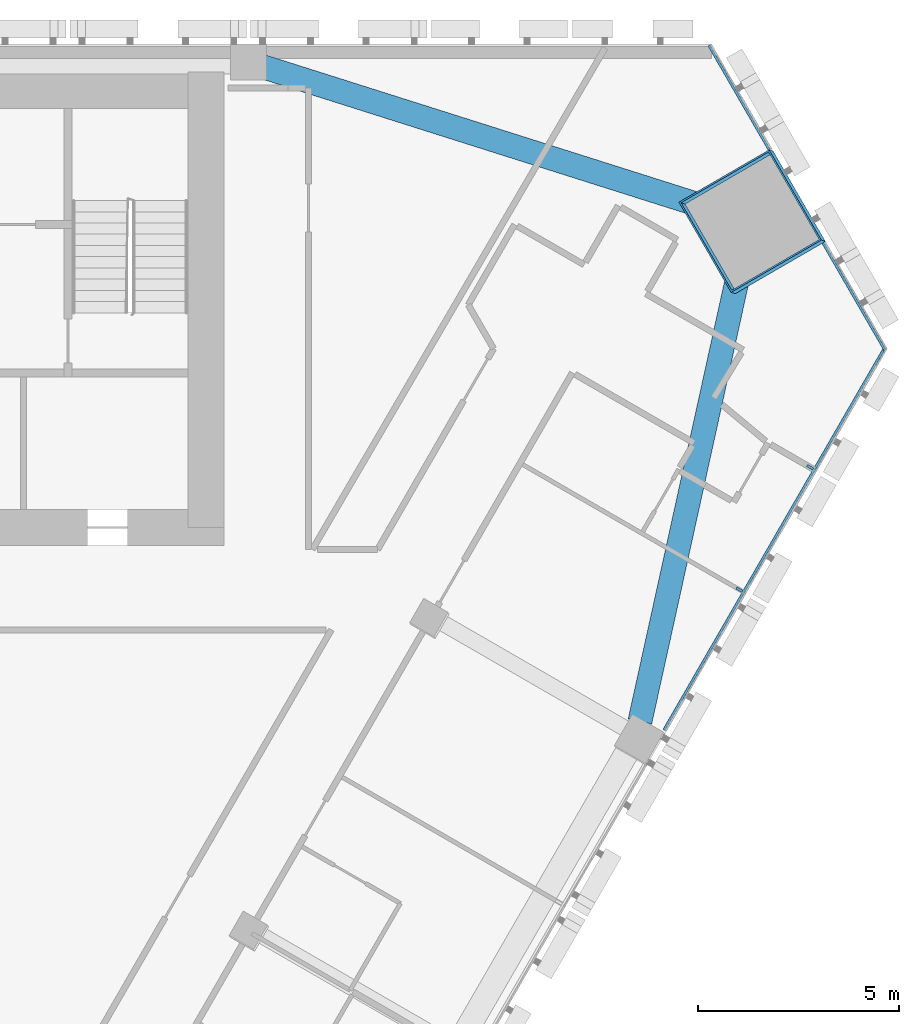
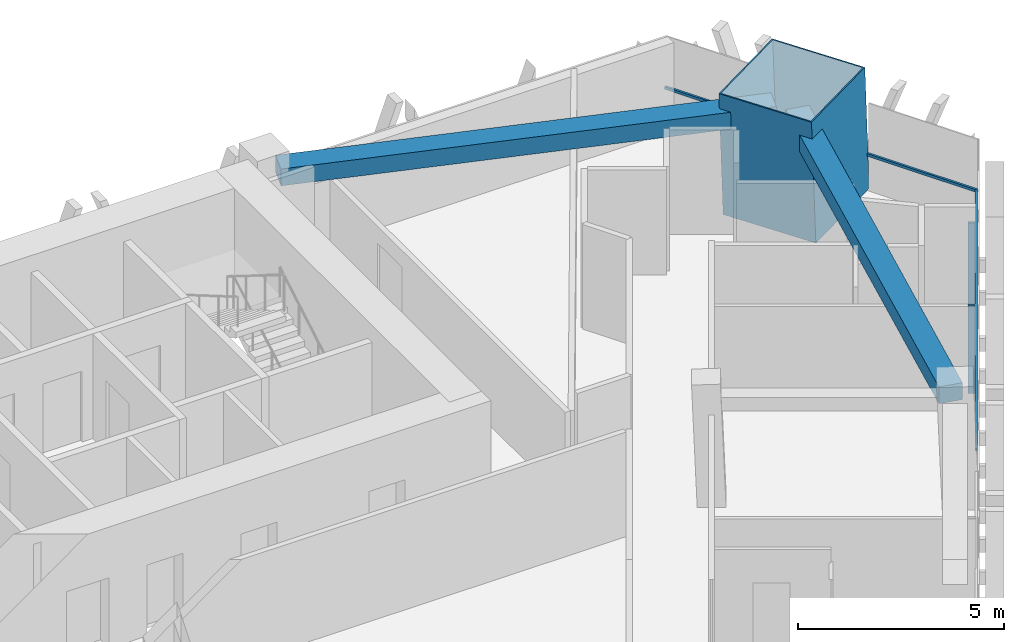
# One storey, part 7 of 16: 6 members, 2 beams, 2 elements without a shape of their own.
"""IFC4 building model written with IfcOpenShell, lengths in metres."""

import ifcopenshell
import ifcopenshell.guid

model = None  # the IFC model being written
_history = None  # IfcOwnerHistory: only IFC2X3 demands one
_inside = {}  # id of a spatial element -> (the spatial element, [elements in it])
_under = {}  # id of a project, library or spatial element -> (it, [spatial elements below it])
_declared = {}  # id of a project -> (the project, [libraries it declares])
_typed = {}  # id of a type object -> (the type object, [elements of that type])
_made_of = {}  # id of a material, layer set ... -> (it, [elements and type objects made of it])


def new_model(schema):
    """Start an empty IFC model of exactly this schema.

    Asked for "IFC4X3", IfcOpenShell would pick the latest addendum, in which some entities
    have other attributes; the version numbers below select the first issue.
    IFC2X3 requires an IfcOwnerHistory on every rooted entity: one is made here for all.
    """
    global model, _history
    if schema == "IFC4X3":
        model = ifcopenshell.file(schema_version=(4, 3, 0, 0))
    else:
        model = ifcopenshell.file(schema=schema)
    _inside.clear()
    _under.clear()
    _declared.clear()
    _typed.clear()
    _made_of.clear()
    _history = None
    if model.schema == "IFC2X3":
        org = make("IfcOrganization", Name="unknown")
        user = make(
            "IfcPersonAndOrganization",
            ThePerson=make("IfcPerson", FamilyName="unknown"),
            TheOrganization=org,
        )
        app = make(
            "IfcApplication",
            ApplicationDeveloper=org,
            Version="unknown",
            ApplicationFullName="unknown",
            ApplicationIdentifier="unknown",
        )
        _history = make(
            "IfcOwnerHistory",
            OwningUser=user,
            OwningApplication=app,
            ChangeAction="ADDED",
            CreationDate=0,
        )
    return model


def make(cls, **values):
    """One entity of the class cls with the attributes given. An attribute that is None is left unset."""
    return model.create_entity(
        cls, **{name: value for name, value in values.items() if value is not None}
    )


def rooted(cls, **values):
    """An entity with a GlobalId (a new one), such as an element, a storey or a relation."""
    return make(cls, GlobalId=ifcopenshell.guid.new(), OwnerHistory=_history, **values)


def si_unit(unit_type, name, prefix=None):
    """IfcSIUnit, for example si_unit("LENGTHUNIT", "METRE", prefix="MILLI")."""
    return make("IfcSIUnit", UnitType=unit_type, Prefix=prefix, Name=name)


def assignment(units):
    """IfcUnitAssignment: the units of a project."""
    return None if units is None else make("IfcUnitAssignment", Units=units)


def point(xyz):
    """IfcCartesianPoint."""
    return None if xyz is None else make("IfcCartesianPoint", Coordinates=xyz)


def direction(xyz):
    """IfcDirection."""
    return None if xyz is None else make("IfcDirection", DirectionRatios=xyz)


def frame(location, z_axis=None, x_axis=None):
    """IfcAxis2Placement3D, a coordinate frame: its origin and axes. An axis left out is left unset."""
    return make(
        "IfcAxis2Placement3D",
        Location=point(location),
        Axis=direction(z_axis),
        RefDirection=direction(x_axis),
    )


def frame_2d(location, x_axis=None):
    """IfcAxis2Placement2D, a coordinate frame in the plane: its origin and x axis."""
    return make(
        "IfcAxis2Placement2D", Location=point(location), RefDirection=direction(x_axis)
    )


def origin():
    """The frame at (0, 0, 0) with its axes left unset."""
    return frame((0.0, 0.0, 0.0))


def origin_2d():
    """The frame at (0, 0) in the plane with its x axis left unset."""
    return frame_2d((0.0, 0.0))


def place(relative_to, where):
    """IfcLocalPlacement: puts the frame where relative to a parent placement (None: the world)."""
    return make(
        "IfcLocalPlacement", PlacementRelTo=relative_to, RelativePlacement=where
    )


def context(
    kind, dimensions, precision=None, world=None, true_north=None, identifier=None
):
    """IfcGeometricRepresentationContext, for example the 3D "Model" context."""
    return make(
        "IfcGeometricRepresentationContext",
        ContextIdentifier=identifier,
        ContextType=kind,
        CoordinateSpaceDimension=dimensions,
        Precision=precision,
        WorldCoordinateSystem=world,
        TrueNorth=true_north,
    )


def subcontext(parent, identifier, kind, view, scale=None):
    """IfcGeometricRepresentationSubContext, for example "Body" below "Model"."""
    return make(
        "IfcGeometricRepresentationSubContext",
        ContextIdentifier=identifier,
        ContextType=kind,
        ParentContext=parent,
        TargetScale=scale,
        TargetView=view,
    )


def project(units=None, contexts=None):
    """IfcProject with its units and contexts."""
    return rooted(
        "IfcProject",
        Name="project",
        RepresentationContexts=contexts,
        UnitsInContext=assignment(units),
    )


def spatial(cls, under=None, at=None, **own):
    """A site, building, storey or space (cls), placed at a placement, below another one or the project."""
    s = rooted(cls, ObjectPlacement=at, **own)
    if under is not None:
        _under.setdefault(under.id(), (under, []))[1].append(s)
    return s


def profile(cls, at=None, kind="AREA", **sizes):
    """A parametric profile (cls). Its sizes go by their IFC names, for example OverallWidth=200.0."""
    return make(cls, ProfileType=kind, Position=at, **sizes)


def rectangle(**sizes):
    """IfcRectangleProfileDef."""
    return profile("IfcRectangleProfileDef", **sizes)


def hollow_rectangle(**sizes):
    """IfcRectangleHollowProfileDef."""
    return profile("IfcRectangleHollowProfileDef", **sizes)


def extrude(swept, where, along, depth):
    """IfcExtrudedAreaSolid: the profile swept, set in the frame where, extruded along a direction by depth."""
    return make(
        "IfcExtrudedAreaSolid",
        SweptArea=swept,
        Position=where,
        ExtrudedDirection=direction(along),
        Depth=depth,
    )


def shape(context_of_items, identifier, shape_type, items):
    """IfcShapeRepresentation: the items that make up one representation, for example the "Body"."""
    return make(
        "IfcShapeRepresentation",
        ContextOfItems=context_of_items,
        RepresentationIdentifier=identifier,
        RepresentationType=shape_type,
        Items=items,
    )


def material(Name=None, Category=None):
    """IfcMaterial."""
    return make("IfcMaterial", Name=Name, Category=Category)


def layer(
    of_material, thickness, ventilated=None, Name=None, Category=None, Priority=None
):
    """IfcMaterialLayer: one layer of a wall or slab, of a material (None: an air gap)."""
    return make(
        "IfcMaterialLayer",
        Material=of_material,
        LayerThickness=thickness,
        IsVentilated=ventilated,
        Name=Name,
        Category=Category,
        Priority=Priority,
    )


def layer_set(layers, Name=None):
    """IfcMaterialLayerSet."""
    return make("IfcMaterialLayerSet", MaterialLayers=layers, LayerSetName=Name)


def material_profile(
    of_material, cross_section, Name=None, Category=None, Priority=None
):
    """IfcMaterialProfile: a cross section and its material."""
    return make(
        "IfcMaterialProfile",
        Name=Name,
        Material=of_material,
        Profile=cross_section,
        Priority=Priority,
        Category=Category,
    )


def profile_set(profiles, Name=None, composite=None):
    """IfcMaterialProfileSet."""
    return make(
        "IfcMaterialProfileSet",
        Name=Name,
        MaterialProfiles=profiles,
        CompositeProfile=composite,
    )


def made_of(thing, what):
    """Note that an element or type object is made of a material, layer set ...; save() writes the relation."""
    if what is not None:
        _made_of.setdefault(what.id(), (what, []))[1].append(thing)
    return thing


def type_object(cls, material=None, **own):
    """A type object (cls), such as IfcWallType, which elements share."""
    return made_of(rooted(cls, **own), material)


def element(
    cls,
    number,
    at=None,
    inside=None,
    cuts=None,
    type_object=None,
    material=None,
    context=None,
    identifier="Body",
    shape_type=None,
    held_by="IfcProductDefinitionShape",
    body=None,
    shapes=None,
    **own,
):
    """One element of the class cls, such as IfcWall. Its Tag is "e" and its number.

    at: its placement. inside: the storey or other place that contains it. cuts: it is an
    opening in that element (IfcRelVoidsElement). A single representation is given by context,
    identifier, shape_type and body (its items); several are given by shapes. held_by: the class
    of the entity that holds the representations. save() writes the other relations.
    """
    e = rooted(cls, Tag="e%d" % number, ObjectPlacement=at, **own)
    if body is not None:
        shapes = [shape(context, identifier, shape_type, body)]
    if shapes is not None:
        e.Representation = make(held_by, Representations=shapes)
    if inside is not None:
        _inside.setdefault(inside.id(), (inside, []))[1].append(e)
    if cuts is not None:
        rooted(
            "IfcRelVoidsElement", RelatingBuildingElement=cuts, RelatedOpeningElement=e
        )
    if type_object is not None:
        _typed.setdefault(type_object.id(), (type_object, []))[1].append(e)
    return made_of(e, material)


def aggregate(whole, parts):
    """IfcRelAggregates: a whole, such as a stair, and the parts it consists of."""
    return rooted("IfcRelAggregates", RelatingObject=whole, RelatedObjects=parts)


def save(model, path):
    """Write the relations noted so far, then the file.

    IfcRelAggregates (storeys below a building ...), IfcRelContainedInSpatialStructure (elements
    in a storey), IfcRelDefinesByType, IfcRelAssociatesMaterial and IfcRelDeclares: one each for
    every whole, place, type object, material and project.
    """
    for whole, parts in _under.values():
        aggregate(whole, parts)
    for where, things in _inside.values():
        rooted(
            "IfcRelContainedInSpatialStructure",
            RelatedElements=things,
            RelatingStructure=where,
        )
    for kind, things in _typed.values():
        rooted("IfcRelDefinesByType", RelatedObjects=things, RelatingType=kind)
    for what, things in _made_of.values():
        rooted("IfcRelAssociatesMaterial", RelatedObjects=things, RelatingMaterial=what)
    for by, libraries in _declared.values():
        rooted("IfcRelDeclares", RelatingContext=by, RelatedDefinitions=libraries)
    model.write(path)


model = new_model("IFC4")

# Units and contexts
model_context = context("Model", 3, precision=1e-05, world=origin(), true_north=direction((0.0, 1.0)))
body_context = subcontext(model_context, "Body", "Model", "MODEL_VIEW")
ifc_project = project(units=[si_unit("LENGTHUNIT", "METRE"), si_unit("AREAUNIT", "SQUARE_METRE"), si_unit("VOLUMEUNIT", "CUBIC_METRE"), si_unit("PLANEANGLEUNIT", "RADIAN"), si_unit("MASSUNIT", "GRAM", prefix="KILO")], contexts=[model_context])

# Site, building, storey
site_placement = place(None, origin())
site = spatial("IfcSite", under=ifc_project, at=site_placement, CompositionType="ELEMENT")
building_placement = place(site_placement, origin())
building = spatial("IfcBuilding", under=site, at=building_placement, Name="Altiplano Prism Tower", CompositionType="ELEMENT")
storey_placement = place(building_placement, frame((0.0, 0.0, 84.60009765625)))
storey = spatial("IfcBuildingStorey", under=building, at=storey_placement, Name="L21", CompositionType="ELEMENT", Elevation=84.60009765625)

# Curtain wall, members
ifc_material_1 = material(Name="Aluminium and glass", Category="aluminium")
ifc_layer = layer(ifc_material_1, 0.280029296875)
ifc_layer_set = layer_set([ifc_layer], Name="Aluminium and glass")
curtain_wall_type = type_object("IfcCurtainWallType", Name="CW1 typical co-living unitised curtain wall", PredefinedType="NOTDEFINED", material=ifc_layer_set)
curtain_wall_1_placement = place(storey_placement, origin())
curtain_wall_1 = element("IfcCurtainWall", 1, at=curtain_wall_1_placement, inside=storey, type_object=curtain_wall_type, Name="CW1 curtain wall south-east face L21", PredefinedType="NOTDEFINED")
ifc_material_2 = material(Name="Aluminium", Category="aluminium")
ifc_material_profile_1 = material_profile(ifc_material_2, rectangle(XDim=0.179931640625, YDim=0.06494140625, at=origin_2d()), Name="CW1 mullion 65 x 180")
ifc_profile_set_1 = profile_set([ifc_material_profile_1], Name="Aluminium")
member_type_1 = type_object("IfcMemberType", Name="CW1 mullion 65 x 180", PredefinedType="MULLION", material=ifc_profile_set_1)
member_1_placement = place(storey_placement, frame((110.7421875, 91.400146484375, 0.0), z_axis=(0.0, 0.0, 1.0), x_axis=(-0.866025399238, 0.500000007875, 0.0)))
member_1 = element("IfcMember", 2, at=member_1_placement, type_object=member_type_1, Name="CW1 mullion", PredefinedType="MULLION", context=body_context, shape_type="SweptSolid", body=[
    extrude(rectangle(XDim=0.179931640625, YDim=0.06494140625, at=origin_2d()), origin(), (0.0, 0.0, 1.0), 2.599853515625),
])
member_2_placement = place(storey_placement, frame((112.50341796875, 94.45068359375, 0.0), z_axis=(0.0, 0.0, 1.0), x_axis=(-0.866025399238, 0.500000007875, 0.0)))
member_2 = element("IfcMember", 3, at=member_2_placement, type_object=member_type_1, Name="CW1 mullion", PredefinedType="MULLION", context=body_context, shape_type="SweptSolid", body=[
    extrude(rectangle(XDim=0.179931640625, YDim=0.06494140625, at=origin_2d()), origin(), (0.0, 0.0, 1.0), 2.599853515625),
])
ifc_material_profile_2 = material_profile(ifc_material_2, rectangle(XDim=0.06005859375, YDim=0.080078125, at=origin_2d()), Name="CW1 transom 80 x 60")
ifc_profile_set_2 = profile_set([ifc_material_profile_2], Name="Aluminium")
member_type_2 = type_object("IfcMemberType", Name="CW1 transom 80 x 60", PredefinedType="USERDEFINED", material=ifc_profile_set_2)
member_3_placement = place(storey_placement, frame((108.86083984375, 87.901611328125, 1.099853515625), z_axis=(0.500010232583, 0.866019495919, 0.0), x_axis=(-0.866019495919, 0.500010232583, 0.0)))
member_3 = element("IfcMember", 4, at=member_3_placement, type_object=member_type_2, Name="CW1 transom", ObjectType="TRANSOM", PredefinedType="USERDEFINED", context=body_context, shape_type="SweptSolid", body=[
    extrude(rectangle(XDim=0.06005859375, YDim=0.080078125, at=origin_2d()), origin(), (0.0, 0.0, 1.0), 11.015380859375),
])
aggregate(curtain_wall_1, [member_1, member_2, member_3])

curtain_wall_2_placement = place(storey_placement, origin())
curtain_wall_2 = element("IfcCurtainWall", 5, at=curtain_wall_2_placement, inside=storey, type_object=curtain_wall_type, Name="CW1 curtain wall north-east chamfer L21", PredefinedType="NOTDEFINED")
member_4_placement = place(storey_placement, frame((114.36865234375, 97.371337890625, 1.099853515625), z_axis=(-0.500046785451, 0.865998390507, 0.0), x_axis=(-0.865998390507, -0.500046785451, 0.0)))
member_4 = element("IfcMember", 6, at=member_4_placement, type_object=member_type_2, Name="CW1 transom", ObjectType="TRANSOM", PredefinedType="USERDEFINED", context=body_context, shape_type="SweptSolid", body=[
    extrude(rectangle(XDim=0.06005859375, YDim=0.080078125, at=origin_2d()), origin(), (0.0, 0.0, 1.0), 3.084228515625),
])
member_5_placement = place(storey_placement, frame((111.486328125, 102.36328125, 1.099853515625), z_axis=(-0.499949909574, 0.866054321574, 0.0), x_axis=(-0.866054321574, -0.499949909574, 0.0)))
member_5 = element("IfcMember", 7, at=member_5_placement, type_object=member_type_2, Name="CW1 transom", ObjectType="TRANSOM", PredefinedType="USERDEFINED", context=body_context, shape_type="SweptSolid", body=[
    extrude(rectangle(XDim=0.06005859375, YDim=0.080078125, at=origin_2d()), origin(), (0.0, 0.0, 1.0), 3.004150390625),
])
aggregate(curtain_wall_2, [member_4, member_5])

# Beams
ifc_material_3 = material(Name="Concrete C60/75", Category="concrete")
ifc_material_profile_3 = material_profile(ifc_material_3, rectangle(XDim=0.60009765625, YDim=0.5, at=origin_2d()), Name="Edge beam 600x500")
ifc_profile_set_3 = profile_set([ifc_material_profile_3], Name="Concrete C60/75")
beam_type = type_object("IfcBeamType", Name="Edge beam 600x500", PredefinedType="SPANDREL", material=ifc_profile_set_3)
for number, where, z_axis, x_axis, name in (
    (8, (108.2626953125, 88.115478515625, 2.849853515625), (0.215054202361, 0.9766021145, 0.0), (-0.9766021145, 0.215054202361, 0.0), "Edge beam P24-M2 L22"),
    (9, (110.580078125, 100.722412109375, 2.849853515625), (-0.95329230734, 0.30204929526, 0.0), (-0.30204929526, -0.95329230734, 0.0), "Edge beam M2-P01 L22"),
):
    element("IfcBeam", number, at=place(storey_placement, frame(where, z_axis=z_axis, x_axis=x_axis)), inside=storey, type_object=beam_type, Name=name, PredefinedType="SPANDREL", context=body_context, shape_type="SweptSolid", body=[
        extrude(rectangle(XDim=0.60009765625, YDim=0.5, at=origin_2d()), origin(), (0.0, 0.0, 1.0), 12.31982421875),
    ])

# Member
ifc_material_4 = material(Name="Steel S460", Category="steel")
ifc_material_profile_4 = material_profile(ifc_material_4, hollow_rectangle(XDim=2.60009765625, YDim=2.60009765625, WallThickness=0.0400390625, at=origin_2d()), Name="Mega column tube 2600")
ifc_profile_set_4 = profile_set([ifc_material_profile_4], Name="Steel S460")
member_type_3 = type_object("IfcMemberType", Name="Mega column tube 2600", PredefinedType="POST", material=ifc_profile_set_4)
member_6_placement = place(storey_placement, frame((111.111328125, 100.55322265625, 0.0), z_axis=(-0.028403739082, 0.009219352065, 0.999554016126), x_axis=(0.500754860852, -0.865304138146, 0.022210759545)))
element("IfcMember", 10, at=member_6_placement, inside=storey, type_object=member_type_3, Name="Mega column tube M2 L21", PredefinedType="POST", context=body_context, shape_type="SweptSolid", body=[
    extrude(hollow_rectangle(XDim=2.60009765625, YDim=2.60009765625, WallThickness=0.0400390625, at=origin_2d()), origin(), (0.0, 0.0, 1.0), 3.6015625),
])

save(model, "model.ifc")
